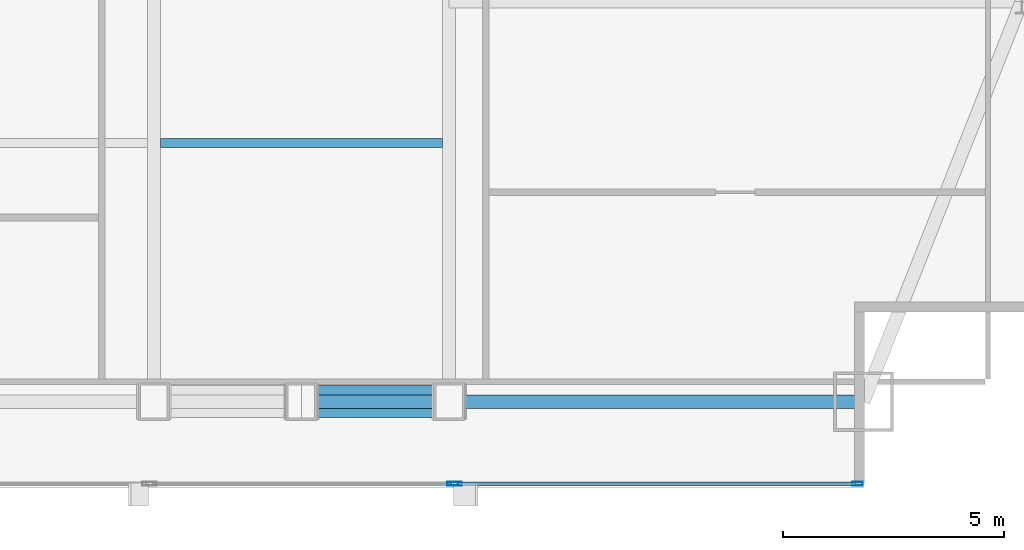
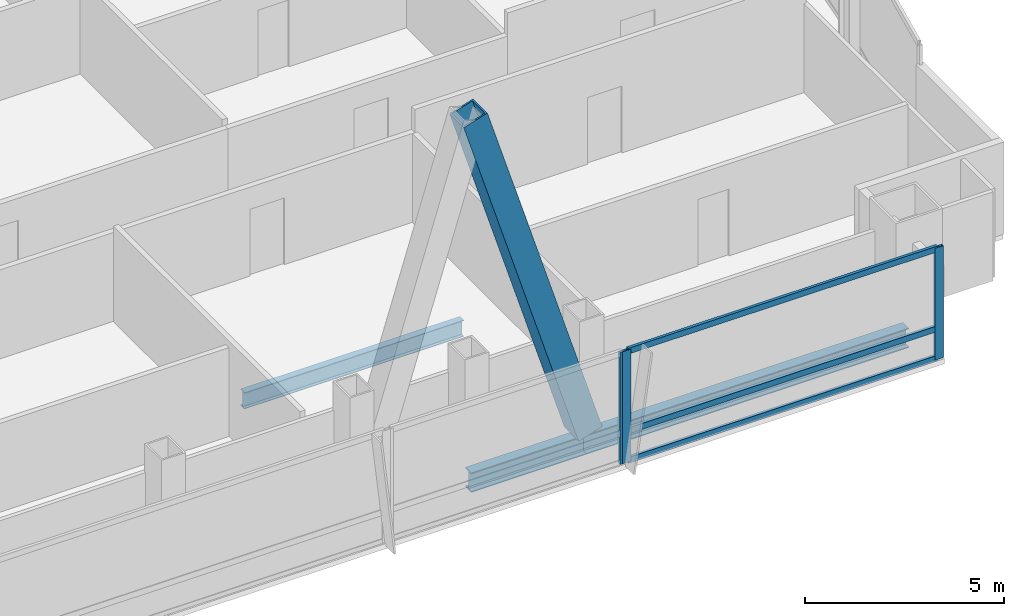
# One storey, part 15 of 30: 7 members, 3 beams, 2 elements without a shape of their own.
"""IFC4 building model written with IfcOpenShell, lengths in metres."""

from ifc_helpers import new_model, si_unit, direction, frame, origin, origin_2d, place, context, subcontext, project, spatial, hollow_rectangle, i_section, extrude, material, material_profile, profile_set, type_object, element, aggregate, save


model = new_model("IFC4")

# Units and contexts
model_context = context("Model", 3, precision=1e-05, world=origin(), true_north=direction((0.0, 1.0)))
body_context = subcontext(model_context, "Body", "Model", "MODEL_VIEW")
ifc_project = project(units=[si_unit("LENGTHUNIT", "METRE"), si_unit("AREAUNIT", "SQUARE_METRE"), si_unit("VOLUMEUNIT", "CUBIC_METRE"), si_unit("PLANEANGLEUNIT", "RADIAN"), si_unit("MASSUNIT", "GRAM", prefix="KILO")], contexts=[model_context])

# Site, building, storey
site_placement = place(None, origin())
site = spatial("IfcSite", under=ifc_project, at=site_placement, CompositionType="ELEMENT")
building_placement = place(site_placement, origin())
building = spatial("IfcBuilding", under=site, at=building_placement, Name="Khoronbel Lancet Exchange", CompositionType="ELEMENT")
storey_placement = place(building_placement, frame((0.0, 0.0, 157.800048828125)))
storey = spatial("IfcBuildingStorey", under=building, at=storey_placement, Name="L39", CompositionType="ELEMENT", Elevation=157.800048828125)

# Beams
ifc_material_1 = material(Name="Steel S355", Category="steel")
ifc_material_profile_1 = material_profile(ifc_material_1, i_section(OverallWidth=0.199951171875, OverallDepth=0.5, WebThickness=0.01025390625, FlangeThickness=0.01611328125, at=origin_2d()), Name="IPE 500")
ifc_profile_set_1 = profile_set([ifc_material_profile_1], Name="Steel S355")
beam_type_1 = type_object("IfcBeamType", Name="BM-BJ3", PredefinedType="JOIST", material=ifc_profile_set_1)
beam_1_placement = place(storey_placement, frame((48.14990234375, 16.0, -0.41015625), z_axis=(1.0, 0.0, 0.0), x_axis=(0.0, 1.0, 0.0)))
element("IfcBeam", 1, at=beam_1_placement, inside=storey, type_object=beam_type_1, Name="Level L39 secondary composite joist J05", PredefinedType="JOIST", context=body_context, shape_type="SweptSolid", body=[
    extrude(i_section(OverallWidth=0.199951171875, OverallDepth=0.5, WebThickness=0.01025390625, FlangeThickness=0.01611328125, at=origin_2d()), origin(), (0.0, 0.0, 1.0), 6.375),
])
ifc_material_profile_2 = material_profile(ifc_material_1, i_section(OverallWidth=0.300048828125, OverallDepth=0.60009765625, WebThickness=0.015380859375, FlangeThickness=0.030029296875, at=origin_2d()), Name="HEB 600")
ifc_profile_set_2 = profile_set([ifc_material_profile_2], Name="Steel S355")
beam_type_2 = type_object("IfcBeamType", Name="BM-BSP2", PredefinedType="SPANDREL", material=ifc_profile_set_2)
beam_2_placement = place(storey_placement, frame((51.33740234375, 10.14990234375, -0.4599609375), z_axis=(1.0, 0.0, 0.0), x_axis=(0.0, 1.0, 0.0)))
element("IfcBeam", 2, at=beam_2_placement, inside=storey, type_object=beam_type_2, Name="Level L39 perimeter spandrel beam SP08", PredefinedType="SPANDREL", context=body_context, shape_type="SweptSolid", body=[
    extrude(i_section(OverallWidth=0.300048828125, OverallDepth=0.60009765625, WebThickness=0.015380859375, FlangeThickness=0.030029296875, at=origin_2d()), origin(), (0.0, 0.0, 1.0), 3.337646484375),
])
beam_3_placement = place(storey_placement, frame((54.675048828125, 10.14990234375, -0.4599609375), z_axis=(1.0, 0.0, 0.0), x_axis=(0.0, 1.0, 0.0)))
element("IfcBeam", 3, at=beam_3_placement, inside=storey, type_object=beam_type_2, Name="Level L39 perimeter spandrel beam SP09", PredefinedType="SPANDREL", context=body_context, shape_type="SweptSolid", body=[
    extrude(i_section(OverallWidth=0.300048828125, OverallDepth=0.60009765625, WebThickness=0.015380859375, FlangeThickness=0.030029296875, at=origin_2d()), origin(), (0.0, 0.0, 1.0), 9.375),
])

# Curtain wall, member
ifc_material_2 = material(Name="Low-E Solar Control Insulating Glass", Category="glass")
curtain_wall_type = type_object("IfcCurtainWallType", Name="CW-3", PredefinedType="NOTDEFINED", material=ifc_material_2)
curtain_wall_1_placement = place(storey_placement, origin())
curtain_wall_1 = element("IfcCurtainWall", 4, at=curtain_wall_1_placement, inside=storey, type_object=curtain_wall_type, Name="Unitised curtain wall CW-L39-SEB", PredefinedType="NOTDEFINED")
ifc_material_3 = material(Name="Bronze-Anodised Aluminium 6063-T6", Category="aluminium")
ifc_material_profile_3 = material_profile(ifc_material_3, hollow_rectangle(XDim=0.0849609375, YDim=0.239990234375, WallThickness=0.006103515625, at=origin_2d()), Name="ALU MULLION 85x240")
ifc_profile_set_3 = profile_set([ifc_material_profile_3], Name="Bronze-Anodised Aluminium 6063-T6")
member_type_1 = type_object("IfcMemberType", Name="MEM-CWM1", PredefinedType="MULLION", material=ifc_profile_set_3)
member_1_placement = place(storey_placement, frame((54.757568359375, 8.2900390625, 0.0), z_axis=(0.0, 0.0, 1.0), x_axis=(0.0, 1.0, 0.0)))
member_1 = element("IfcMember", 5, at=member_1_placement, type_object=member_type_1, Name="CW3 mullion 2", PredefinedType="MULLION", context=body_context, shape_type="SweptSolid", body=[
    extrude(hollow_rectangle(XDim=0.0849609375, YDim=0.239990234375, WallThickness=0.006103515625, at=origin_2d()), origin(), (0.0, 0.0, 1.0), 3.43994140625),
])
aggregate(curtain_wall_1, [member_1])

# Curtain wall, members
curtain_wall_2_placement = place(storey_placement, origin())
curtain_wall_2 = element("IfcCurtainWall", 6, at=curtain_wall_2_placement, inside=storey, type_object=curtain_wall_type, Name="Unitised curtain wall CW-L39-SEV", PredefinedType="NOTDEFINED")
member_2_placement = place(storey_placement, frame((54.842529296875, 8.2900390625, 0.0), z_axis=(0.0, 0.0, 1.0), x_axis=(0.0, 1.0, 0.0)))
member_2 = element("IfcMember", 7, at=member_2_placement, type_object=member_type_1, Name="CW3 mullion 1", PredefinedType="MULLION", context=body_context, shape_type="SweptSolid", body=[
    extrude(hollow_rectangle(XDim=0.0849609375, YDim=0.239990234375, WallThickness=0.006103515625, at=origin_2d()), origin(), (0.0, 0.0, 1.0), 3.43994140625),
])
member_3_placement = place(storey_placement, frame((63.91748046875, 8.2900390625, 0.0), z_axis=(0.0, 0.0, 1.0), x_axis=(0.0, 1.0, 0.0)))
member_3 = element("IfcMember", 8, at=member_3_placement, type_object=member_type_1, Name="CW3 mullion 2", PredefinedType="MULLION", context=body_context, shape_type="SweptSolid", body=[
    extrude(hollow_rectangle(XDim=0.0849609375, YDim=0.239990234375, WallThickness=0.006103515625, at=origin_2d()), origin(), (0.0, 0.0, 1.0), 3.43994140625),
])
ifc_material_profile_4 = material_profile(ifc_material_3, hollow_rectangle(XDim=0.0849609375, YDim=0.179931640625, WallThickness=0.0048828125, at=origin_2d()), Name="ALU TRANSOM 85x180")
ifc_profile_set_4 = profile_set([ifc_material_profile_4], Name="Bronze-Anodised Aluminium 6063-T6")
member_type_2 = type_object("IfcMemberType", Name="MEM-CWT1", PredefinedType="USERDEFINED", material=ifc_profile_set_4)
member_4_placement = place(storey_placement, frame((54.885009765625, 8.2900390625, 0.04248046875), z_axis=(1.0, 0.0, 0.0), x_axis=(0.0, 1.0, 0.0)))
member_4 = element("IfcMember", 9, at=member_4_placement, type_object=member_type_2, Name="CW3 transom 1.1", ObjectType="TRANSOM", PredefinedType="USERDEFINED", context=body_context, shape_type="SweptSolid", body=[
    extrude(hollow_rectangle(XDim=0.0849609375, YDim=0.179931640625, WallThickness=0.0048828125, at=origin_2d()), origin(), (0.0, 0.0, 1.0), 8.989990234375),
])
member_5_placement = place(storey_placement, frame((54.885009765625, 8.2900390625, 0.949951171875), z_axis=(1.0, 0.0, 0.0), x_axis=(0.0, 1.0, 0.0)))
member_5 = element("IfcMember", 10, at=member_5_placement, type_object=member_type_2, Name="CW3 transom 1.2", ObjectType="TRANSOM", PredefinedType="USERDEFINED", context=body_context, shape_type="SweptSolid", body=[
    extrude(hollow_rectangle(XDim=0.0849609375, YDim=0.179931640625, WallThickness=0.0048828125, at=origin_2d()), origin(), (0.0, 0.0, 1.0), 8.989990234375),
])
member_6_placement = place(storey_placement, frame((54.885009765625, 8.2900390625, 3.3974609375), z_axis=(1.0, 0.0, 0.0), x_axis=(0.0, 1.0, 0.0)))
member_6 = element("IfcMember", 11, at=member_6_placement, type_object=member_type_2, Name="CW3 transom 1.3", ObjectType="TRANSOM", PredefinedType="USERDEFINED", context=body_context, shape_type="SweptSolid", body=[
    extrude(hollow_rectangle(XDim=0.0849609375, YDim=0.179931640625, WallThickness=0.0048828125, at=origin_2d()), origin(), (0.0, 0.0, 1.0), 8.989990234375),
])
aggregate(curtain_wall_2, [member_2, member_3, member_4, member_5, member_6])

# Member
ifc_material_4 = material(Name="Steel S460", Category="steel")
ifc_material_profile_5 = material_profile(ifc_material_4, hollow_rectangle(XDim=0.719970703125, YDim=0.719970703125, WallThickness=0.050048828125, at=origin_2d()), Name="BOX 720x720x50")
ifc_profile_set_5 = profile_set([ifc_material_profile_5], Name="Steel S460")
member_type_3 = type_object("IfcMemberType", Name="MEM-MB2", PredefinedType="BRACE", material=ifc_profile_set_5)
member_7_placement = place(storey_placement, frame((54.675048828125, 10.14990234375, 0.0), z_axis=(-0.295261823895, 0.0, 0.955416378), x_axis=(0.0, -1.0, 0.0)))
element("IfcMember", 12, at=member_7_placement, inside=storey, type_object=member_type_3, Name="Perimeter lancet brace tier 13 S-E-R", PredefinedType="BRACE", context=body_context, shape_type="SweptSolid", body=[
    extrude(hollow_rectangle(XDim=0.719970703125, YDim=0.719970703125, WallThickness=0.050048828125, at=origin_2d()), origin(), (0.0, 0.0, 1.0), 11.303955078125),
])

save(model, "model.ifc")
